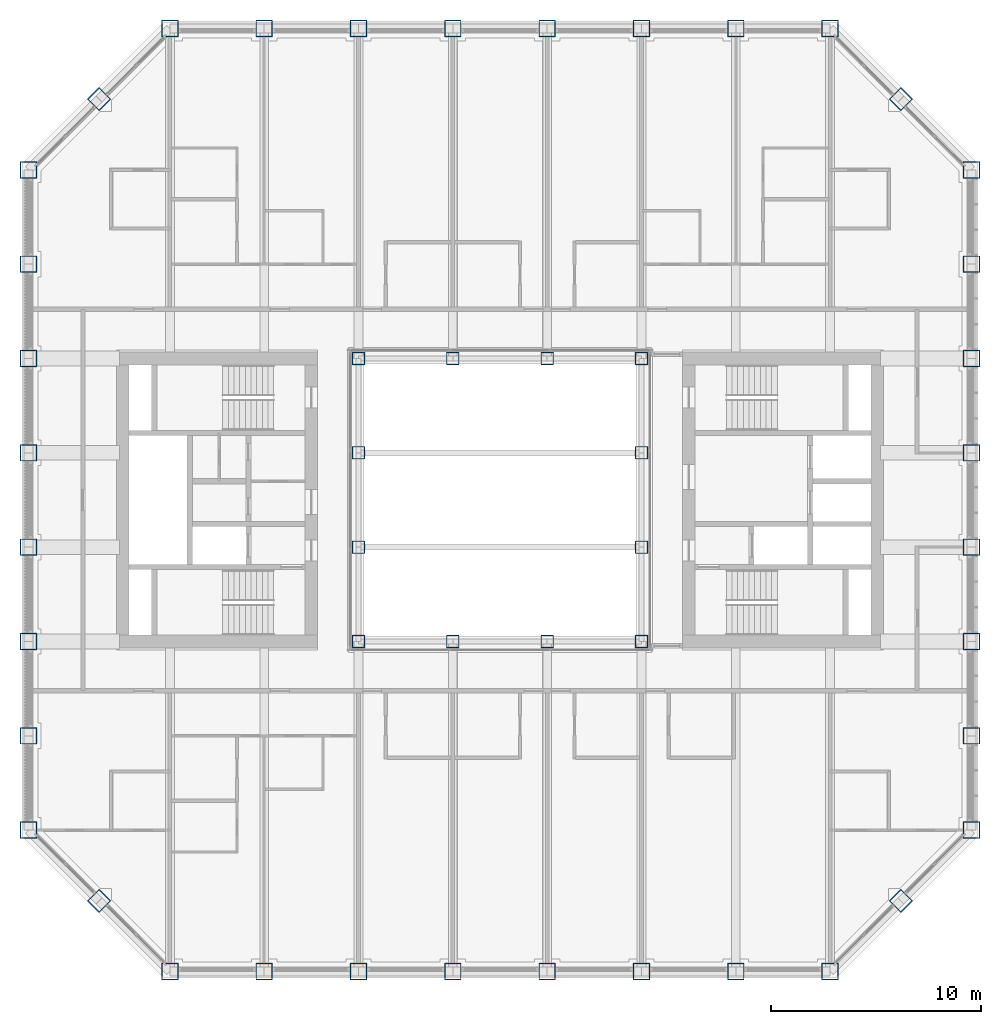
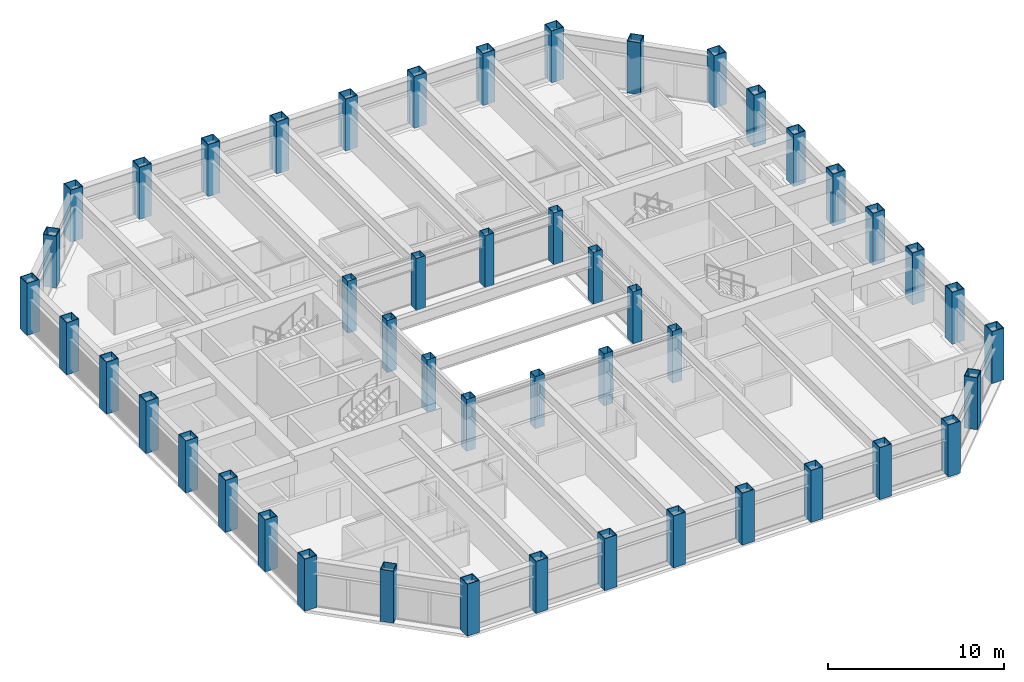
# One storey, part 1 of 18: 48 columns.
"""IFC4 building model written with IfcOpenShell, lengths in metres."""

import ifcopenshell
import ifcopenshell.guid

model = None  # the IFC model being written
_history = None  # IfcOwnerHistory: only IFC2X3 demands one
_inside = {}  # id of a spatial element -> (the spatial element, [elements in it])
_under = {}  # id of a project, library or spatial element -> (it, [spatial elements below it])
_declared = {}  # id of a project -> (the project, [libraries it declares])
_typed = {}  # id of a type object -> (the type object, [elements of that type])
_made_of = {}  # id of a material, layer set ... -> (it, [elements and type objects made of it])


def new_model(schema):
    """Start an empty IFC model of exactly this schema.

    Asked for "IFC4X3", IfcOpenShell would pick the latest addendum, in which some entities
    have other attributes; the version numbers below select the first issue.
    IFC2X3 requires an IfcOwnerHistory on every rooted entity: one is made here for all.
    """
    global model, _history
    if schema == "IFC4X3":
        model = ifcopenshell.file(schema_version=(4, 3, 0, 0))
    else:
        model = ifcopenshell.file(schema=schema)
    _inside.clear()
    _under.clear()
    _declared.clear()
    _typed.clear()
    _made_of.clear()
    _history = None
    if model.schema == "IFC2X3":
        org = make("IfcOrganization", Name="unknown")
        user = make(
            "IfcPersonAndOrganization",
            ThePerson=make("IfcPerson", FamilyName="unknown"),
            TheOrganization=org,
        )
        app = make(
            "IfcApplication",
            ApplicationDeveloper=org,
            Version="unknown",
            ApplicationFullName="unknown",
            ApplicationIdentifier="unknown",
        )
        _history = make(
            "IfcOwnerHistory",
            OwningUser=user,
            OwningApplication=app,
            ChangeAction="ADDED",
            CreationDate=0,
        )
    return model


def make(cls, **values):
    """One entity of the class cls with the attributes given. An attribute that is None is left unset."""
    return model.create_entity(
        cls, **{name: value for name, value in values.items() if value is not None}
    )


def rooted(cls, **values):
    """An entity with a GlobalId (a new one), such as an element, a storey or a relation."""
    return make(cls, GlobalId=ifcopenshell.guid.new(), OwnerHistory=_history, **values)


def si_unit(unit_type, name, prefix=None):
    """IfcSIUnit, for example si_unit("LENGTHUNIT", "METRE", prefix="MILLI")."""
    return make("IfcSIUnit", UnitType=unit_type, Prefix=prefix, Name=name)


def assignment(units):
    """IfcUnitAssignment: the units of a project."""
    return None if units is None else make("IfcUnitAssignment", Units=units)


def point(xyz):
    """IfcCartesianPoint."""
    return None if xyz is None else make("IfcCartesianPoint", Coordinates=xyz)


def direction(xyz):
    """IfcDirection."""
    return None if xyz is None else make("IfcDirection", DirectionRatios=xyz)


def frame(location, z_axis=None, x_axis=None):
    """IfcAxis2Placement3D, a coordinate frame: its origin and axes. An axis left out is left unset."""
    return make(
        "IfcAxis2Placement3D",
        Location=point(location),
        Axis=direction(z_axis),
        RefDirection=direction(x_axis),
    )


def frame_2d(location, x_axis=None):
    """IfcAxis2Placement2D, a coordinate frame in the plane: its origin and x axis."""
    return make(
        "IfcAxis2Placement2D", Location=point(location), RefDirection=direction(x_axis)
    )


def origin():
    """The frame at (0, 0, 0) with its axes left unset."""
    return frame((0.0, 0.0, 0.0))


def origin_2d():
    """The frame at (0, 0) in the plane with its x axis left unset."""
    return frame_2d((0.0, 0.0))


def place(relative_to, where):
    """IfcLocalPlacement: puts the frame where relative to a parent placement (None: the world)."""
    return make(
        "IfcLocalPlacement", PlacementRelTo=relative_to, RelativePlacement=where
    )


def context(
    kind, dimensions, precision=None, world=None, true_north=None, identifier=None
):
    """IfcGeometricRepresentationContext, for example the 3D "Model" context."""
    return make(
        "IfcGeometricRepresentationContext",
        ContextIdentifier=identifier,
        ContextType=kind,
        CoordinateSpaceDimension=dimensions,
        Precision=precision,
        WorldCoordinateSystem=world,
        TrueNorth=true_north,
    )


def subcontext(parent, identifier, kind, view, scale=None):
    """IfcGeometricRepresentationSubContext, for example "Body" below "Model"."""
    return make(
        "IfcGeometricRepresentationSubContext",
        ContextIdentifier=identifier,
        ContextType=kind,
        ParentContext=parent,
        TargetScale=scale,
        TargetView=view,
    )


def project(units=None, contexts=None):
    """IfcProject with its units and contexts."""
    return rooted(
        "IfcProject",
        Name="project",
        RepresentationContexts=contexts,
        UnitsInContext=assignment(units),
    )


def spatial(cls, under=None, at=None, **own):
    """A site, building, storey or space (cls), placed at a placement, below another one or the project."""
    s = rooted(cls, ObjectPlacement=at, **own)
    if under is not None:
        _under.setdefault(under.id(), (under, []))[1].append(s)
    return s


def profile(cls, at=None, kind="AREA", **sizes):
    """A parametric profile (cls). Its sizes go by their IFC names, for example OverallWidth=200.0."""
    return make(cls, ProfileType=kind, Position=at, **sizes)


def hollow_rectangle(**sizes):
    """IfcRectangleHollowProfileDef."""
    return profile("IfcRectangleHollowProfileDef", **sizes)


def extrude(swept, where, along, depth):
    """IfcExtrudedAreaSolid: the profile swept, set in the frame where, extruded along a direction by depth."""
    return make(
        "IfcExtrudedAreaSolid",
        SweptArea=swept,
        Position=where,
        ExtrudedDirection=direction(along),
        Depth=depth,
    )


def shape(context_of_items, identifier, shape_type, items):
    """IfcShapeRepresentation: the items that make up one representation, for example the "Body"."""
    return make(
        "IfcShapeRepresentation",
        ContextOfItems=context_of_items,
        RepresentationIdentifier=identifier,
        RepresentationType=shape_type,
        Items=items,
    )


def material(Name=None, Category=None):
    """IfcMaterial."""
    return make("IfcMaterial", Name=Name, Category=Category)


def material_profile(
    of_material, cross_section, Name=None, Category=None, Priority=None
):
    """IfcMaterialProfile: a cross section and its material."""
    return make(
        "IfcMaterialProfile",
        Name=Name,
        Material=of_material,
        Profile=cross_section,
        Priority=Priority,
        Category=Category,
    )


def profile_set(profiles, Name=None, composite=None):
    """IfcMaterialProfileSet."""
    return make(
        "IfcMaterialProfileSet",
        Name=Name,
        MaterialProfiles=profiles,
        CompositeProfile=composite,
    )


def made_of(thing, what):
    """Note that an element or type object is made of a material, layer set ...; save() writes the relation."""
    if what is not None:
        _made_of.setdefault(what.id(), (what, []))[1].append(thing)
    return thing


def type_object(cls, material=None, **own):
    """A type object (cls), such as IfcWallType, which elements share."""
    return made_of(rooted(cls, **own), material)


def element(
    cls,
    number,
    at=None,
    inside=None,
    cuts=None,
    type_object=None,
    material=None,
    context=None,
    identifier="Body",
    shape_type=None,
    held_by="IfcProductDefinitionShape",
    body=None,
    shapes=None,
    **own,
):
    """One element of the class cls, such as IfcWall. Its Tag is "e" and its number.

    at: its placement. inside: the storey or other place that contains it. cuts: it is an
    opening in that element (IfcRelVoidsElement). A single representation is given by context,
    identifier, shape_type and body (its items); several are given by shapes. held_by: the class
    of the entity that holds the representations. save() writes the other relations.
    """
    e = rooted(cls, Tag="e%d" % number, ObjectPlacement=at, **own)
    if body is not None:
        shapes = [shape(context, identifier, shape_type, body)]
    if shapes is not None:
        e.Representation = make(held_by, Representations=shapes)
    if inside is not None:
        _inside.setdefault(inside.id(), (inside, []))[1].append(e)
    if cuts is not None:
        rooted(
            "IfcRelVoidsElement", RelatingBuildingElement=cuts, RelatedOpeningElement=e
        )
    if type_object is not None:
        _typed.setdefault(type_object.id(), (type_object, []))[1].append(e)
    return made_of(e, material)


def aggregate(whole, parts):
    """IfcRelAggregates: a whole, such as a stair, and the parts it consists of."""
    return rooted("IfcRelAggregates", RelatingObject=whole, RelatedObjects=parts)


def save(model, path):
    """Write the relations noted so far, then the file.

    IfcRelAggregates (storeys below a building ...), IfcRelContainedInSpatialStructure (elements
    in a storey), IfcRelDefinesByType, IfcRelAssociatesMaterial and IfcRelDeclares: one each for
    every whole, place, type object, material and project.
    """
    for whole, parts in _under.values():
        aggregate(whole, parts)
    for where, things in _inside.values():
        rooted(
            "IfcRelContainedInSpatialStructure",
            RelatedElements=things,
            RelatingStructure=where,
        )
    for kind, things in _typed.values():
        rooted("IfcRelDefinesByType", RelatedObjects=things, RelatingType=kind)
    for what, things in _made_of.values():
        rooted("IfcRelAssociatesMaterial", RelatedObjects=things, RelatingMaterial=what)
    for by, libraries in _declared.values():
        rooted("IfcRelDeclares", RelatingContext=by, RelatedDefinitions=libraries)
    model.write(path)


model = new_model("IFC4")

# Units and contexts
model_context = context("Model", 3, precision=1e-05, world=origin(), true_north=direction((0.0, 1.0)))
body_context = subcontext(model_context, "Body", "Model", "MODEL_VIEW")
ifc_project = project(units=[si_unit("LENGTHUNIT", "METRE"), si_unit("AREAUNIT", "SQUARE_METRE"), si_unit("VOLUMEUNIT", "CUBIC_METRE"), si_unit("PLANEANGLEUNIT", "RADIAN"), si_unit("MASSUNIT", "GRAM", prefix="KILO")], contexts=[model_context])

# Site, building, storey
site_placement = place(None, origin())
site = spatial("IfcSite", under=ifc_project, at=site_placement, CompositionType="ELEMENT")
building_placement = place(site_placement, origin())
building = spatial("IfcBuilding", under=site, at=building_placement, Name="Msasa Ring Tower", CompositionType="ELEMENT")
storey_placement = place(building_placement, frame((0.0, 0.0, 186.800048828125)))
storey = spatial("IfcBuildingStorey", under=building, at=storey_placement, Name="L49", CompositionType="ELEMENT", Elevation=186.800048828125)

# Columns
ifc_material_1 = material(Name="Steel S355", Category="steel")
ifc_material_profile_1 = material_profile(ifc_material_1, hollow_rectangle(XDim=0.60009765625, YDim=0.60009765625, WallThickness=0.030029296875, at=origin_2d()), Name="BOX 600x600x30")
ifc_profile_set_1 = profile_set([ifc_material_profile_1], Name="Steel S355")
column_type_1 = type_object("IfcColumnType", Name="IC5 BOX 600x600x30", PredefinedType="COLUMN", material=ifc_profile_set_1)
for number, where, z_axis, x_axis, name in (
    (1, (-6.75, -6.75, 0.0), (0.0, 0.0, 1.0), (1.0, 0.0, 0.0), "Inner ring column IR-6.75-6.75 L49"),
    (2, (-6.75, -2.25, 0.0), (0.0, 0.0, 1.0), (1.0, 0.0, 0.0), "Inner ring column IR-6.75-2.25 L49"),
    (3, (-6.75, 2.25, 0.0), (0.0, 0.0, 1.0), (1.0, 0.0, 0.0), "Inner ring column IR-6.75+2.25 L49"),
    (4, (-6.75, 6.75, 0.0), (0.0, 0.0, 1.0), (1.0, 0.0, 0.0), "Inner ring column IR-6.75+6.75 L49"),
    (5, (-2.25, -6.75, 0.0), (0.0, 0.0, 1.0), (1.0, 0.0, 0.0), "Inner ring column IR-2.25-6.75 L49"),
    (6, (-2.25, 6.75, 0.0), (0.0, 0.0, 1.0), (1.0, 0.0, 0.0), "Inner ring column IR-2.25+6.75 L49"),
    (7, (2.25, -6.75, 0.0), (0.0, 0.0, 1.0), (1.0, 0.0, 0.0), "Inner ring column IR+2.25-6.75 L49"),
    (8, (2.25, 6.75, 0.0), (0.0, 0.0, 1.0), (1.0, 0.0, 0.0), "Inner ring column IR+2.25+6.75 L49"),
    (9, (6.75, -6.75, 0.0), (0.0, 0.0, 1.0), (1.0, 0.0, 0.0), "Inner ring column IR+6.75-6.75 L49"),
    (10, (6.75, -2.25, 0.0), (0.0, 0.0, 1.0), (1.0, 0.0, 0.0), "Inner ring column IR+6.75-2.25 L49"),
    (11, (6.75, 2.25, 0.0), (0.0, 0.0, 1.0), (1.0, 0.0, 0.0), "Inner ring column IR+6.75+2.25 L49"),
    (12, (6.75, 6.75, 0.0), (0.0, 0.0, 1.0), (1.0, 0.0, 0.0), "Inner ring column IR+6.75+6.75 L49"),
):
    element("IfcColumn", number, at=place(storey_placement, frame(where, z_axis=z_axis, x_axis=x_axis)), inside=storey, type_object=column_type_1, Name=name, PredefinedType="COLUMN", context=body_context, shape_type="SweptSolid", body=[
        extrude(hollow_rectangle(XDim=0.60009765625, YDim=0.60009765625, WallThickness=0.030029296875, at=origin_2d()), origin(), (0.0, 0.0, 1.0), 3.599853515625),
    ])
ifc_material_2 = material(Name="Steel S355", Category="steel")
ifc_material_profile_2 = material_profile(ifc_material_2, hollow_rectangle(XDim=0.800048828125, YDim=0.800048828125, WallThickness=0.044921875, at=origin_2d()), Name="BOX 800x800x45")
ifc_profile_set_2 = profile_set([ifc_material_profile_2], Name="Steel S355")
column_type_2 = type_object("IfcColumnType", Name="TC5 BOX 800x800x45", PredefinedType="COLUMN", material=ifc_profile_set_2)
for number, where, z_axis, x_axis, name in (
    (13, (-15.75, -22.5, 0.0), (0.0, 0.0, 1.0), (0.0, 1.0, 0.0), "Tube column S-15.75 L49"),
    (14, (-15.75, 22.5, 0.0), (0.0, 0.0, 1.0), (0.0, 1.0, 0.0), "Tube column N-15.75 L49"),
    (15, (22.5, -15.75, 0.0), (0.0, 0.0, 1.0), (1.0, 0.0, 0.0), "Tube column E-15.75 L49"),
    (16, (-22.5, -15.75, 0.0), (0.0, 0.0, 1.0), (1.0, 0.0, 0.0), "Tube column W-15.75 L49"),
    (17, (-11.25, -22.5, 0.0), (0.0, 0.0, 1.0), (0.0, 1.0, 0.0), "Tube column S-11.25 L49"),
    (18, (-11.25, 22.5, 0.0), (0.0, 0.0, 1.0), (0.0, 1.0, 0.0), "Tube column N-11.25 L49"),
    (19, (22.5, -11.25, 0.0), (0.0, 0.0, 1.0), (1.0, 0.0, 0.0), "Tube column E-11.25 L49"),
    (20, (-22.5, -11.25, 0.0), (0.0, 0.0, 1.0), (1.0, 0.0, 0.0), "Tube column W-11.25 L49"),
    (21, (-6.75, -22.5, 0.0), (0.0, 0.0, 1.0), (0.0, 1.0, 0.0), "Tube column S-6.75 L49"),
    (22, (-6.75, 22.5, 0.0), (0.0, 0.0, 1.0), (0.0, 1.0, 0.0), "Tube column N-6.75 L49"),
    (23, (22.5, -6.75, 0.0), (0.0, 0.0, 1.0), (1.0, 0.0, 0.0), "Tube column E-6.75 L49"),
    (24, (-22.5, -6.75, 0.0), (0.0, 0.0, 1.0), (1.0, 0.0, 0.0), "Tube column W-6.75 L49"),
    (25, (-2.25, -22.5, 0.0), (0.0, 0.0, 1.0), (0.0, 1.0, 0.0), "Tube column S-2.25 L49"),
    (26, (-2.25, 22.5, 0.0), (0.0, 0.0, 1.0), (0.0, 1.0, 0.0), "Tube column N-2.25 L49"),
    (27, (22.5, -2.25, 0.0), (0.0, 0.0, 1.0), (1.0, 0.0, 0.0), "Tube column E-2.25 L49"),
    (28, (-22.5, -2.25, 0.0), (0.0, 0.0, 1.0), (1.0, 0.0, 0.0), "Tube column W-2.25 L49"),
    (29, (2.25, -22.5, 0.0), (0.0, 0.0, 1.0), (0.0, 1.0, 0.0), "Tube column S+2.25 L49"),
    (30, (2.25, 22.5, 0.0), (0.0, 0.0, 1.0), (0.0, 1.0, 0.0), "Tube column N+2.25 L49"),
    (31, (22.5, 2.25, 0.0), (0.0, 0.0, 1.0), (1.0, 0.0, 0.0), "Tube column E+2.25 L49"),
    (32, (-22.5, 2.25, 0.0), (0.0, 0.0, 1.0), (1.0, 0.0, 0.0), "Tube column W+2.25 L49"),
    (33, (6.75, -22.5, 0.0), (0.0, 0.0, 1.0), (0.0, 1.0, 0.0), "Tube column S+6.75 L49"),
    (34, (6.75, 22.5, 0.0), (0.0, 0.0, 1.0), (0.0, 1.0, 0.0), "Tube column N+6.75 L49"),
    (35, (22.5, 6.75, 0.0), (0.0, 0.0, 1.0), (1.0, 0.0, 0.0), "Tube column E+6.75 L49"),
    (36, (-22.5, 6.75, 0.0), (0.0, 0.0, 1.0), (1.0, 0.0, 0.0), "Tube column W+6.75 L49"),
    (37, (11.25, -22.5, 0.0), (0.0, 0.0, 1.0), (0.0, 1.0, 0.0), "Tube column S+11.25 L49"),
    (38, (11.25, 22.5, 0.0), (0.0, 0.0, 1.0), (0.0, 1.0, 0.0), "Tube column N+11.25 L49"),
    (39, (22.5, 11.25, 0.0), (0.0, 0.0, 1.0), (1.0, 0.0, 0.0), "Tube column E+11.25 L49"),
    (40, (-22.5, 11.25, 0.0), (0.0, 0.0, 1.0), (1.0, 0.0, 0.0), "Tube column W+11.25 L49"),
    (41, (15.75, -22.5, 0.0), (0.0, 0.0, 1.0), (0.0, 1.0, 0.0), "Tube column S+15.75 L49"),
    (42, (15.75, 22.5, 0.0), (0.0, 0.0, 1.0), (0.0, 1.0, 0.0), "Tube column N+15.75 L49"),
    (43, (22.5, 15.75, 0.0), (0.0, 0.0, 1.0), (1.0, 0.0, 0.0), "Tube column E+15.75 L49"),
    (44, (-22.5, 15.75, 0.0), (0.0, 0.0, 1.0), (1.0, 0.0, 0.0), "Tube column W+15.75 L49"),
    (45, (19.125, -19.125, 0.0), (0.0, 0.0, 1.0), (0.707106781187, -0.707106781187, 0.0), "Tube column SE L49"),
    (46, (19.125, 19.125, 0.0), (0.0, 0.0, 1.0), (0.707106781187, 0.707106781187, 0.0), "Tube column NE L49"),
    (47, (-19.125, 19.125, 0.0), (0.0, 0.0, 1.0), (0.707106781187, -0.707106781187, 0.0), "Tube column NW L49"),
    (48, (-19.125, -19.125, 0.0), (0.0, 0.0, 1.0), (0.707106781187, 0.707106781187, 0.0), "Tube column SW L49"),
):
    element("IfcColumn", number, at=place(storey_placement, frame(where, z_axis=z_axis, x_axis=x_axis)), inside=storey, type_object=column_type_2, Name=name, PredefinedType="COLUMN", context=body_context, shape_type="SweptSolid", body=[
        extrude(hollow_rectangle(XDim=0.800048828125, YDim=0.800048828125, WallThickness=0.044921875, at=origin_2d()), origin(), (0.0, 0.0, 1.0), 3.599853515625),
    ])

save(model, "model.ifc")
